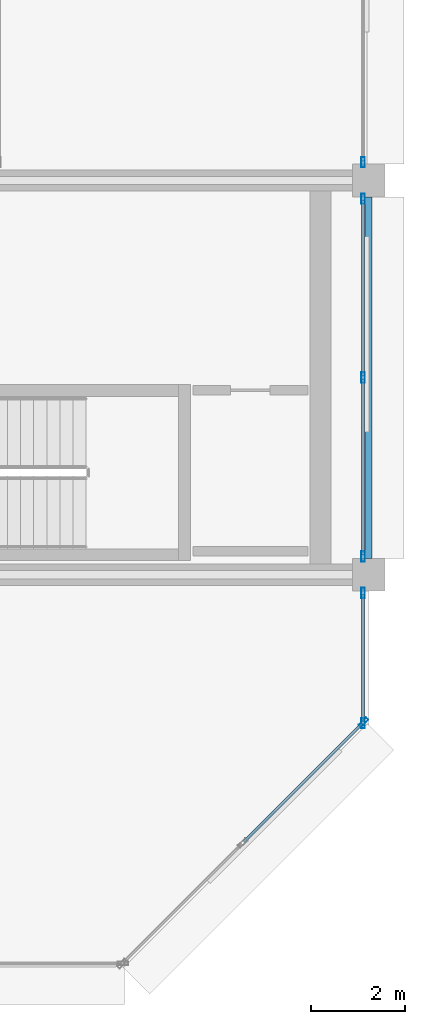
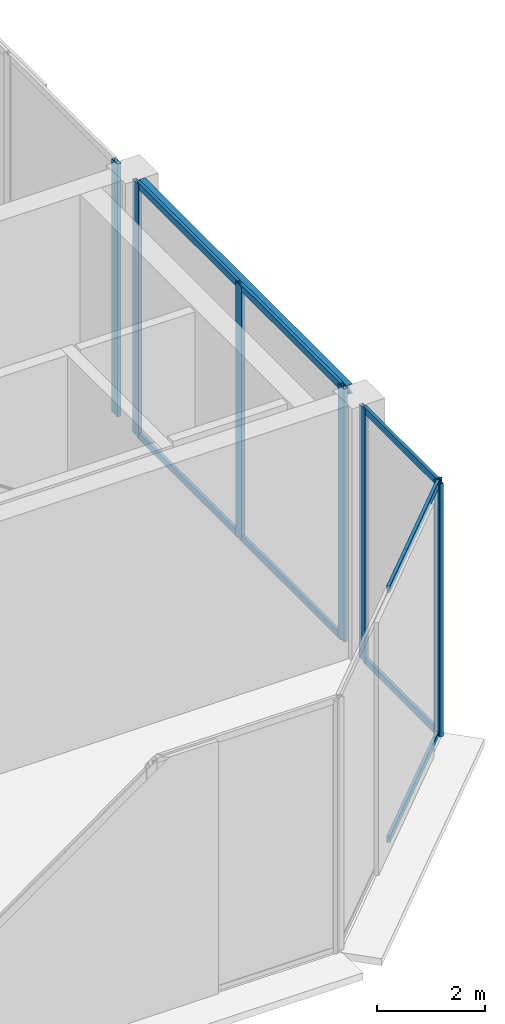
# One storey, part 10 of 19: 15 members, 1 beam, 4 elements without a shape of their own.
"""IFC4 building model written with IfcOpenShell, lengths in metres."""

from ifc_helpers import new_model, si_unit, direction, frame, origin, origin_2d, place, context, subcontext, project, spatial, hollow_rectangle, i_section, extrude, material, layer, layer_set, material_profile, profile_set, type_object, element, aggregate, save


model = new_model("IFC4")

# Units and contexts
model_context = context("Model", 3, precision=1e-05, world=origin(), true_north=direction((0.0, 1.0)))
body_context = subcontext(model_context, "Body", "Model", "MODEL_VIEW")
ifc_project = project(units=[si_unit("LENGTHUNIT", "METRE"), si_unit("AREAUNIT", "SQUARE_METRE"), si_unit("VOLUMEUNIT", "CUBIC_METRE"), si_unit("PLANEANGLEUNIT", "RADIAN"), si_unit("MASSUNIT", "GRAM", prefix="KILO")], contexts=[model_context])

# Site, building, storey
site_placement = place(None, origin())
site = spatial("IfcSite", under=ifc_project, at=site_placement, CompositionType="ELEMENT")
building_placement = place(site_placement, origin())
building = spatial("IfcBuilding", under=site, at=building_placement, Name="Nerrivon Quay Data Exchange", CompositionType="ELEMENT")
storey_placement = place(building_placement, frame((0.0, 0.0, 327.0)))
storey = spatial("IfcBuildingStorey", under=building, at=storey_placement, Name="L78", CompositionType="ELEMENT", Elevation=327.0)

# Beam
ifc_material_1 = material(Name="Steel Grade 350", Category="steel")
ifc_material_profile_1 = material_profile(ifc_material_1, i_section(OverallWidth=0.134033203125, OverallDepth=0.20703125, WebThickness=0.00634765625, FlangeThickness=0.009521484375, FilletRadius=0.0087890625, at=origin_2d()), Name="200UB29.8")
ifc_profile_set_1 = profile_set([ifc_material_profile_1], Name="Steel Grade 350")
beam_type = type_object("IfcBeamType", Name="BM-J8-200UB30", PredefinedType="JOIST", material=ifc_profile_set_1)
beam_placement = place(storey_placement, frame((33.60009765625, 8.75, 5.62158203125), z_axis=(0.0, 1.0, 0.0), x_axis=(-1.0, 0.0, 0.0)))
element("IfcBeam", 1, at=beam_placement, inside=storey, type_object=beam_type, Name="L78 NS Girder X=33.6 (8.4..16.8)", PredefinedType="JOIST", context=body_context, shape_type="SweptSolid", body=[
    extrude(i_section(OverallWidth=0.134033203125, OverallDepth=0.20703125, WebThickness=0.00634765625, FlangeThickness=0.009521484375, FilletRadius=0.0087890625, at=origin_2d()), origin(), (0.0, 0.0, 1.0), 7.699951171875),
])

# Curtain wall, member
ifc_material_2 = material(Name="Anodised aluminium 6063-T6", Category="aluminium")
ifc_layer = layer(ifc_material_2, 0.22998046875)
ifc_layer_set = layer_set([ifc_layer], Name="Anodised aluminium 6063-T6")
curtain_wall_type = type_object("IfcCurtainWallType", Name="CW-SYS-05", PredefinedType="NOTDEFINED", material=ifc_layer_set)
curtain_wall_1_placement = place(storey_placement, origin())
curtain_wall_1 = element("IfcCurtainWall", 2, at=curtain_wall_1_placement, inside=storey, type_object=curtain_wall_type, Name="L78 Crown Curtain Wall 1", PredefinedType="NOTDEFINED")
ifc_material_profile_2 = material_profile(ifc_material_2, hollow_rectangle(XDim=0.074951171875, YDim=0.219970703125, WallThickness=0.00390625, at=origin_2d()), Name="ALU-MULL-220x75")
ifc_profile_set_2 = profile_set([ifc_material_profile_2], Name="Anodised aluminium 6063-T6")
member_type_1 = type_object("IfcMemberType", Name="CWM-220x75", PredefinedType="MULLION", material=ifc_profile_set_2)
member_1_placement = place(storey_placement, frame((33.47998046875, 17.1875, 0.0), z_axis=(0.0, 0.0, 1.0), x_axis=(1.0, 0.0, 0.0)))
member_1 = element("IfcMember", 3, at=member_1_placement, type_object=member_type_1, Name="CW05 mullion 3", PredefinedType="MULLION", context=body_context, shape_type="SweptSolid", body=[
    extrude(hollow_rectangle(XDim=0.074951171875, YDim=0.219970703125, WallThickness=0.00390625, at=origin_2d()), origin(), (0.0, 0.0, 1.0), 5.72509765625),
])
aggregate(curtain_wall_1, [member_1])

# Curtain wall, members
curtain_wall_2_placement = place(storey_placement, origin())
curtain_wall_2 = element("IfcCurtainWall", 4, at=curtain_wall_2_placement, inside=storey, type_object=curtain_wall_type, Name="L78 Crown Curtain Wall 2", PredefinedType="NOTDEFINED")
member_2_placement = place(storey_placement, frame((33.47998046875, 16.41259765625, 0.0), z_axis=(0.0, 0.0, 1.0), x_axis=(1.0, 0.0, 0.0)))
member_2 = element("IfcMember", 5, at=member_2_placement, type_object=member_type_1, Name="CW05 mullion 1", PredefinedType="MULLION", context=body_context, shape_type="SweptSolid", body=[
    extrude(hollow_rectangle(XDim=0.074951171875, YDim=0.219970703125, WallThickness=0.00390625, at=origin_2d()), origin(), (0.0, 0.0, 1.0), 5.72509765625),
])
member_3_placement = place(storey_placement, frame((33.47998046875, 12.60009765625, 0.0), z_axis=(0.0, 0.0, 1.0), x_axis=(1.0, 0.0, 0.0)))
member_3 = element("IfcMember", 6, at=member_3_placement, type_object=member_type_1, Name="CW05 mullion 2", PredefinedType="MULLION", context=body_context, shape_type="SweptSolid", body=[
    extrude(hollow_rectangle(XDim=0.074951171875, YDim=0.219970703125, WallThickness=0.00390625, at=origin_2d()), origin(), (0.0, 0.0, 1.0), 5.72509765625),
])
member_4_placement = place(storey_placement, frame((33.47998046875, 8.78759765625, 0.0), z_axis=(0.0, 0.0, 1.0), x_axis=(1.0, 0.0, 0.0)))
member_4 = element("IfcMember", 7, at=member_4_placement, type_object=member_type_1, Name="CW05 mullion 3", PredefinedType="MULLION", context=body_context, shape_type="SweptSolid", body=[
    extrude(hollow_rectangle(XDim=0.074951171875, YDim=0.219970703125, WallThickness=0.00390625, at=origin_2d()), origin(), (0.0, 0.0, 1.0), 5.72509765625),
])

curtain_wall_3_placement = place(storey_placement, origin())
curtain_wall_3 = element("IfcCurtainWall", 8, at=curtain_wall_3_placement, inside=storey, type_object=curtain_wall_type, Name="L78 Crown Curtain Wall 3", PredefinedType="NOTDEFINED")
member_5_placement = place(storey_placement, frame((33.47998046875, 8.012451171875, 0.0), z_axis=(0.0, 0.0, 1.0), x_axis=(1.0, 0.0, 0.0)))
member_5 = element("IfcMember", 9, at=member_5_placement, type_object=member_type_1, Name="CW05 mullion 1", PredefinedType="MULLION", context=body_context, shape_type="SweptSolid", body=[
    extrude(hollow_rectangle(XDim=0.074951171875, YDim=0.219970703125, WallThickness=0.00390625, at=origin_2d()), origin(), (0.0, 0.0, 1.0), 5.72509765625),
])
member_6_placement = place(storey_placement, frame((33.47998046875, 5.237548828125, 0.0), z_axis=(0.0, 0.0, 1.0), x_axis=(1.0, 0.0, 0.0)))
member_6 = element("IfcMember", 10, at=member_6_placement, type_object=member_type_1, Name="CW05 mullion 2", PredefinedType="MULLION", context=body_context, shape_type="SweptSolid", body=[
    extrude(hollow_rectangle(XDim=0.074951171875, YDim=0.219970703125, WallThickness=0.00390625, at=origin_2d()), origin(), (0.0, 0.0, 1.0), 5.72509765625),
])

# Curtain wall, member
curtain_wall_4_placement = place(storey_placement, origin())
curtain_wall_4 = element("IfcCurtainWall", 11, at=curtain_wall_4_placement, inside=storey, type_object=curtain_wall_type, Name="L78 Crown Curtain Wall 4", PredefinedType="NOTDEFINED")
member_7_placement = place(storey_placement, frame((33.488525390625, 5.25830078125, 0.0), z_axis=(0.0, 0.0, 1.0), x_axis=(0.707106781187, -0.707106781187, 0.0)))
member_7 = element("IfcMember", 12, at=member_7_placement, type_object=member_type_1, Name="CW05 mullion 1", PredefinedType="MULLION", context=body_context, shape_type="SweptSolid", body=[
    extrude(hollow_rectangle(XDim=0.074951171875, YDim=0.219970703125, WallThickness=0.00390625, at=origin_2d()), origin(), (0.0, 0.0, 1.0), 5.72509765625),
])

# Member
ifc_material_profile_3 = material_profile(ifc_material_2, hollow_rectangle(XDim=0.06494140625, YDim=0.14990234375, WallThickness=0.00341796875, at=origin_2d()), Name="ALU-TRAN-150x65")
ifc_profile_set_3 = profile_set([ifc_material_profile_3], Name="Anodised aluminium 6063-T6")
member_type_2 = type_object("IfcMemberType", Name="CWT-150x65", PredefinedType="USERDEFINED", material=ifc_profile_set_3)
member_8_placement = place(storey_placement, frame((33.47998046875, 16.375, 0.032470703125), z_axis=(0.0, -1.0, 0.0), x_axis=(1.0, 0.0, 0.0)))
member_8 = element("IfcMember", 13, at=member_8_placement, type_object=member_type_2, Name="CW05 transom 1.1", ObjectType="TRANSOM", PredefinedType="USERDEFINED", context=body_context, shape_type="SweptSolid", body=[
    extrude(hollow_rectangle(XDim=0.06494140625, YDim=0.14990234375, WallThickness=0.00341796875, at=origin_2d()), origin(), (0.0, 0.0, 1.0), 3.737548828125),
])

member_9_placement = place(storey_placement, frame((33.47998046875, 16.375, 5.6923828125), z_axis=(0.0, -1.0, 0.0), x_axis=(1.0, 0.0, 0.0)))
member_9 = element("IfcMember", 14, at=member_9_placement, type_object=member_type_2, Name="CW05 transom 1.2", ObjectType="TRANSOM", PredefinedType="USERDEFINED", context=body_context, shape_type="SweptSolid", body=[
    extrude(hollow_rectangle(XDim=0.06494140625, YDim=0.14990234375, WallThickness=0.00341796875, at=origin_2d()), origin(), (0.0, 0.0, 1.0), 3.737548828125),
])

member_10_placement = place(storey_placement, frame((33.47998046875, 12.5625, 0.032470703125), z_axis=(0.0, -1.0, 0.0), x_axis=(1.0, 0.0, 0.0)))
member_10 = element("IfcMember", 15, at=member_10_placement, type_object=member_type_2, Name="CW05 transom 2.1", ObjectType="TRANSOM", PredefinedType="USERDEFINED", context=body_context, shape_type="SweptSolid", body=[
    extrude(hollow_rectangle(XDim=0.06494140625, YDim=0.14990234375, WallThickness=0.00341796875, at=origin_2d()), origin(), (0.0, 0.0, 1.0), 3.737548828125),
])

member_11_placement = place(storey_placement, frame((33.47998046875, 12.5625, 5.6923828125), z_axis=(0.0, -1.0, 0.0), x_axis=(1.0, 0.0, 0.0)))
member_11 = element("IfcMember", 16, at=member_11_placement, type_object=member_type_2, Name="CW05 transom 2.2", ObjectType="TRANSOM", PredefinedType="USERDEFINED", context=body_context, shape_type="SweptSolid", body=[
    extrude(hollow_rectangle(XDim=0.06494140625, YDim=0.14990234375, WallThickness=0.00341796875, at=origin_2d()), origin(), (0.0, 0.0, 1.0), 3.737548828125),
])

aggregate(curtain_wall_2, [member_2, member_3, member_4, member_8, member_9, member_10, member_11])

member_12_placement = place(storey_placement, frame((33.47998046875, 7.97509765625, 0.032470703125), z_axis=(0.0, -1.0, 0.0), x_axis=(1.0, 0.0, 0.0)))
member_12 = element("IfcMember", 17, at=member_12_placement, type_object=member_type_2, Name="CW05 transom 1.1", ObjectType="TRANSOM", PredefinedType="USERDEFINED", context=body_context, shape_type="SweptSolid", body=[
    extrude(hollow_rectangle(XDim=0.06494140625, YDim=0.14990234375, WallThickness=0.00341796875, at=origin_2d()), origin(), (0.0, 0.0, 1.0), 2.7001953125),
])

member_13_placement = place(storey_placement, frame((33.47998046875, 7.97509765625, 5.6923828125), z_axis=(0.0, -1.0, 0.0), x_axis=(1.0, 0.0, 0.0)))
member_13 = element("IfcMember", 18, at=member_13_placement, type_object=member_type_2, Name="CW05 transom 1.2", ObjectType="TRANSOM", PredefinedType="USERDEFINED", context=body_context, shape_type="SweptSolid", body=[
    extrude(hollow_rectangle(XDim=0.06494140625, YDim=0.14990234375, WallThickness=0.00341796875, at=origin_2d()), origin(), (0.0, 0.0, 1.0), 2.7001953125),
])

aggregate(curtain_wall_3, [member_5, member_6, member_12, member_13])

member_14_placement = place(storey_placement, frame((33.462158203125, 5.23193359375, 0.032470703125), z_axis=(-0.707106781187, -0.707106781187, 0.0), x_axis=(0.707106781187, -0.707106781187, 0.0)))
member_14 = element("IfcMember", 19, at=member_14_placement, type_object=member_type_2, Name="CW05 transom 1.1", ObjectType="TRANSOM", PredefinedType="USERDEFINED", context=body_context, shape_type="SweptSolid", body=[
    extrude(hollow_rectangle(XDim=0.06494140625, YDim=0.14990234375, WallThickness=0.00341796875, at=origin_2d()), origin(), (0.0, 0.0, 1.0), 3.564453125),
])

member_15_placement = place(storey_placement, frame((33.462158203125, 5.23193359375, 5.6923828125), z_axis=(-0.707106781187, -0.707106781187, 0.0), x_axis=(0.707106781187, -0.707106781187, 0.0)))
member_15 = element("IfcMember", 20, at=member_15_placement, type_object=member_type_2, Name="CW05 transom 1.2", ObjectType="TRANSOM", PredefinedType="USERDEFINED", context=body_context, shape_type="SweptSolid", body=[
    extrude(hollow_rectangle(XDim=0.06494140625, YDim=0.14990234375, WallThickness=0.00341796875, at=origin_2d()), origin(), (0.0, 0.0, 1.0), 3.564453125),
])

aggregate(curtain_wall_4, [member_7, member_14, member_15])

save(model, "model.ifc")
